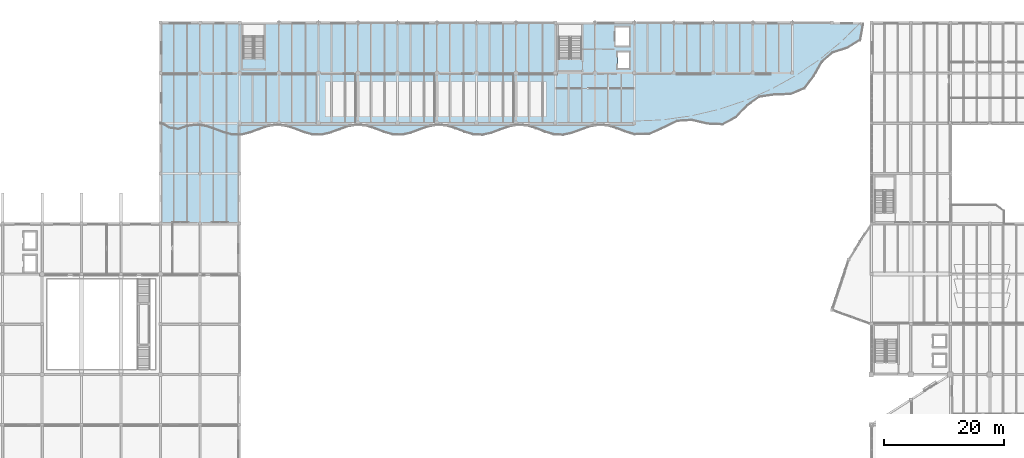
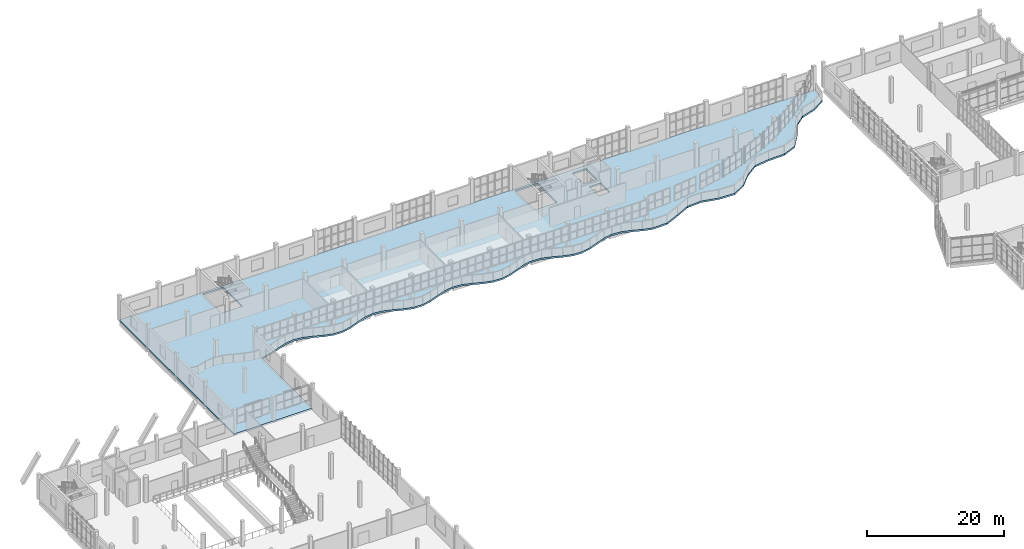
# One storey, part 35 of 76: 1 slab.
"""IFC4 building model written with IfcOpenShell, lengths in metres."""

from ifc_helpers import new_model, si_unit, direction, frame, origin, place, context, subcontext, project, spatial, polyline, outline, extrude, material, layer, layer_set, type_object, element, save


model = new_model("IFC4")

# Units and contexts
model_context = context("Model", 3, precision=1e-05, world=origin(), true_north=direction((0.0, 1.0)))
body_context = subcontext(model_context, "Body", "Model", "MODEL_VIEW")
ifc_project = project(units=[si_unit("LENGTHUNIT", "METRE"), si_unit("AREAUNIT", "SQUARE_METRE"), si_unit("VOLUMEUNIT", "CUBIC_METRE"), si_unit("PLANEANGLEUNIT", "RADIAN"), si_unit("MASSUNIT", "GRAM", prefix="KILO")], contexts=[model_context])

# Site, building, storey
site_placement = place(None, origin())
site = spatial("IfcSite", under=ifc_project, at=site_placement, CompositionType="ELEMENT")
building_placement = place(site_placement, origin())
building = spatial("IfcBuilding", under=site, at=building_placement, Name="Qaldarim Faculty of Natural and Applied Sciences", CompositionType="ELEMENT")
storey_placement = place(building_placement, frame((0.0, 0.0, 9.89990234375)))
storey = spatial("IfcBuildingStorey", under=building, at=storey_placement, Name="L02", CompositionType="ELEMENT", Elevation=9.89990234375)

# Slab
ifc_material = material(Name="Concrete C40/50", Category="concrete")
ifc_layer = layer(ifc_material, 0.300048828125)
ifc_layer_set = layer_set([ifc_layer], Name="Concrete C40/50")
slab_type = type_object("IfcSlabType", Name="PodiumFloorSlab-300", PredefinedType="FLOOR", material=ifc_layer_set)
slab_placement = place(storey_placement, frame((0.0, 0.0, -0.2998046875)))
element("IfcSlab", 1, at=slab_placement, inside=storey, type_object=slab_type, Name="Floor slab L02 V4", PredefinedType="FLOOR", context=body_context, shape_type="SweptSolid", body=[
    extrude(outline(polyline([(33.0, 84.0), (33.0, 117.60009765625), (150.47509765625, 117.60009765625), (149.965087890625, 114.719970703125), (147.860107421875, 113.375), (145.35009765625, 112.580078125), (143.534912109375, 111.010009765625), (142.219970703125, 108.679931640625), (140.6298828125, 106.5849609375), (138.31005859375, 105.625), (135.5849609375, 105.550048828125), (133.10009765625, 105.179931640625), (131.094970703125, 103.75), (129.205078125, 101.780029296875), (126.97998046875, 100.56494140625), (124.389892578125, 100.679931640625), (121.77490234375, 101.294921875), (119.3701171875, 101.139892578125), (117.06494140625, 100.014892578125), (114.675048828125, 98.949951171875), (112.199951171875, 98.909912109375), (110.705078125, 99.344970703125), (109.2099609375, 99.925048828125), (107.715087890625, 100.375), (106.22509765625, 100.489990234375), (104.72998046875, 100.215087890625), (103.235107421875, 99.675048828125), (101.739990234375, 99.125), (100.2451171875, 98.820068359375), (98.75, 98.89990234375), (97.2548828125, 99.324951171875), (95.760009765625, 99.905029296875), (94.27001953125, 100.364990234375), (92.77490234375, 100.4951171875), (91.280029296875, 100.22998046875), (89.784912109375, 99.695068359375), (88.2900390625, 99.139892578125), (86.794921875, 98.824951171875), (85.300048828125, 98.889892578125), (83.81005859375, 99.31005859375), (82.31494140625, 99.885009765625), (80.820068359375, 100.35498046875), (79.324951171875, 100.4951171875), (77.830078125, 100.2451171875), (76.3349609375, 99.715087890625), (74.840087890625, 99.159912109375), (73.344970703125, 98.830078125), (71.85498046875, 98.8798828125), (70.360107421875, 99.2900390625), (68.864990234375, 99.864990234375), (67.3701171875, 100.344970703125), (65.875, 100.4951171875), (64.3798828125, 100.260009765625), (62.885009765625, 99.735107421875), (61.389892578125, 99.175048828125), (59.89990234375, 98.8349609375), (58.405029296875, 98.8701171875), (56.909912109375, 99.27001953125), (55.4150390625, 99.844970703125), (53.919921875, 100.330078125), (52.425048828125, 100.5), (50.929931640625, 100.27001953125), (49.43994140625, 99.7548828125), (47.945068359375, 99.18994140625), (46.449951171875, 98.840087890625), (46.199951171875, 98.844970703125), (46.199951171875, 84.0), (33.0, 84.0)]), holes=[polyline([(103.35009765625, 111.514892578125), (103.35009765625, 117.219970703125), (99.550048828125, 117.219970703125), (99.550048828125, 111.514892578125), (103.35009765625, 111.514892578125)]), polyline([(50.300048828125, 111.614990234375), (50.300048828125, 117.219970703125), (46.800048828125, 117.219970703125), (46.800048828125, 111.614990234375), (50.300048828125, 111.614990234375)]), polyline([(109.449951171875, 109.949951171875), (111.35009765625, 109.949951171875), (111.35009765625, 112.64990234375), (109.449951171875, 112.64990234375), (109.449951171875, 109.949951171875)]), polyline([(109.050048828125, 113.75), (111.35009765625, 113.75), (111.35009765625, 116.85009765625), (109.050048828125, 116.85009765625), (109.050048828125, 113.75)])]), origin(), (0.0, 0.0, 1.0), 0.2998046875),
])

save(model, "model.ifc")
